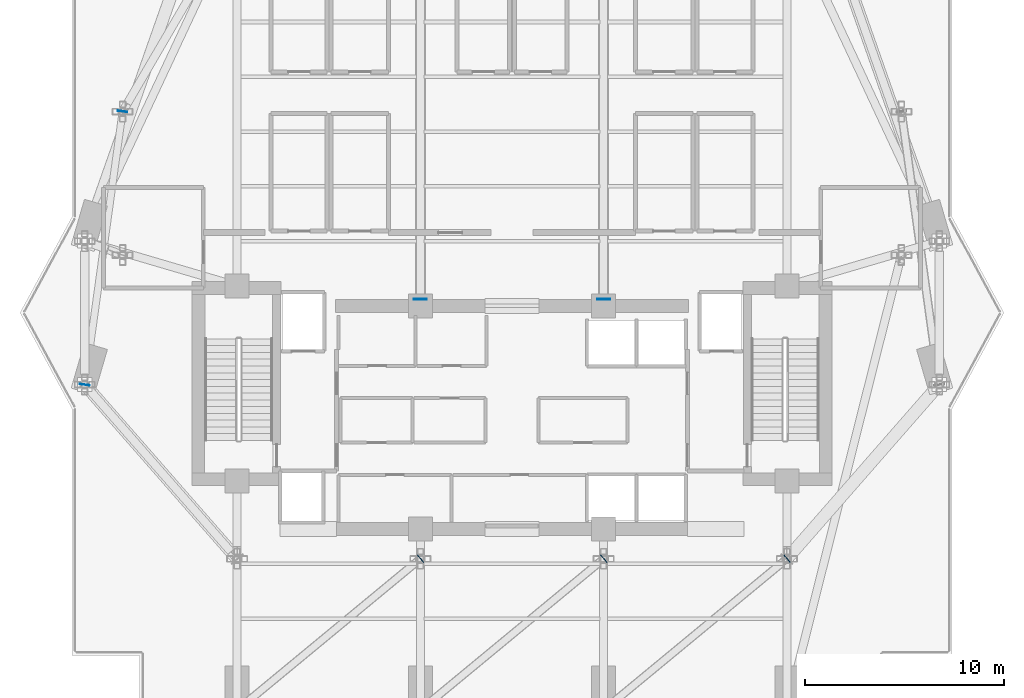
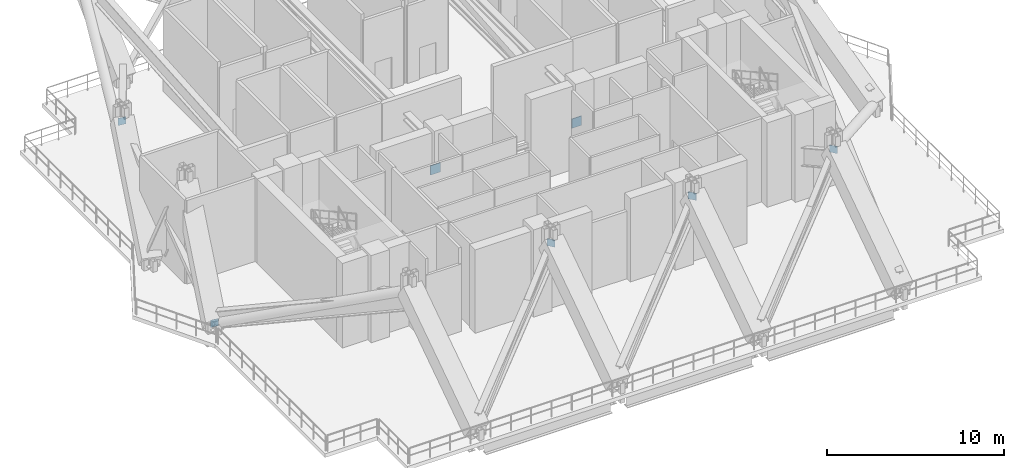
# One storey, part 10 of 18: 7 plates.
"""IFC4 building model written with IfcOpenShell, lengths in metres."""

from ifc_helpers import new_model, si_unit, direction, frame, origin, origin_2d, place, context, subcontext, project, spatial, rectangle, extrude, material, layer, layer_set, type_object, element, save


model = new_model("IFC4")

# Units and contexts
model_context = context("Model", 3, precision=1e-05, world=origin(), true_north=direction((0.0, 1.0)))
body_context = subcontext(model_context, "Body", "Model", "MODEL_VIEW")
ifc_project = project(units=[si_unit("LENGTHUNIT", "METRE"), si_unit("AREAUNIT", "SQUARE_METRE"), si_unit("VOLUMEUNIT", "CUBIC_METRE"), si_unit("PLANEANGLEUNIT", "RADIAN"), si_unit("MASSUNIT", "GRAM", prefix="KILO")], contexts=[model_context])

# Site, building, storey
site_placement = place(None, origin())
site = spatial("IfcSite", under=ifc_project, at=site_placement, CompositionType="ELEMENT")
building_placement = place(site_placement, origin())
building = spatial("IfcBuilding", under=site, at=building_placement, Name="Zuhayl Quay Hotel", CompositionType="ELEMENT")
storey_placement = place(building_placement, frame((0.0, 0.0, 233.64990234375)))
storey = spatial("IfcBuildingStorey", under=building, at=storey_placement, Name="L59", CompositionType="ELEMENT", Elevation=233.64990234375)

# Plates
ifc_material = material(Name="Steel ASTM A572 Grade 50", Category="steel")
ifc_layer_1 = layer(ifc_material, 0.030029296875, Name="Steel ASTM A572 Grade 50", Category="steel")
ifc_layer_set_1 = layer_set([ifc_layer_1], Name="Steel ASTM A572 Grade 50")
plate_type_1 = type_object("IfcPlateType", Name="TP_CAP_PLATE_30", PredefinedType="USERDEFINED", material=ifc_layer_set_1)
for number, where, z_axis, x_axis, name in (
    (1, (-4.59130859375, 0.656982421875, 5.20947265625), (0.0, 0.0, 1.0), (0.770958060864, 0.636885914735, 0.0), "Truss Node Cap Assembly KN2"),
    (2, (4.608642578125, 0.656982421875, 5.20947265625), (0.0, 0.0, 1.0), (0.770958060864, 0.636885914735, 0.0), "Truss Node Cap Assembly KN2"),
    (3, (13.80859375, 0.656982421875, 5.20947265625), (0.0, 0.0, 1.0), (0.770958060864, 0.636885914735, 0.0), "Truss Node Cap Assembly KN2"),
    (4, (-21.45166015625, 9.388916015625, 0.30126953125), (0.0, 0.0, 1.0), (-0.137444546037, -0.990509463238, 0.0), "Truss Node Cap Assembly KN2"),
    (5, (-19.54833984375, 23.111083984375, 5.208984375), (0.0, 0.0, 1.0), (0.137444546037, 0.990509463238, 0.0), "Truss Node Cap Assembly KN2"),
):
    element("IfcPlate", number, at=place(storey_placement, frame(where, z_axis=z_axis, x_axis=x_axis)), inside=storey, type_object=plate_type_1, Name=name, ObjectType="GUSSET PLATE", PredefinedType="USERDEFINED", context=body_context, shape_type="SweptSolid", body=[
        extrude(rectangle(XDim=0.030029296875, YDim=0.489990234375, at=origin_2d()), origin(), (0.0, 0.0, 1.0), 0.489990234375),
    ])
ifc_layer_2 = layer(ifc_material, 0.0400390625, Name="Steel ASTM A572 Grade 50", Category="steel")
ifc_layer_set_2 = layer_set([ifc_layer_2], Name="Steel ASTM A572 Grade 50")
plate_type_2 = type_object("IfcPlateType", Name="TP_CAP_PLATE_40", PredefinedType="USERDEFINED", material=ifc_layer_set_2)
for number, where, z_axis, x_axis, name in (
    (6, (-4.60009765625, 13.68408203125, 2.3291015625), (0.0, 0.0, 1.0), (0.0, -1.0, 0.0), "Truss Node Cap Assembly KN1"),
    (7, (4.60009765625, 13.68408203125, 2.3291015625), (0.0, 0.0, 1.0), (0.0, -1.0, 0.0), "Truss Node Cap Assembly KN1"),
):
    element("IfcPlate", number, at=place(storey_placement, frame(where, z_axis=z_axis, x_axis=x_axis)), inside=storey, type_object=plate_type_2, Name=name, ObjectType="GUSSET PLATE", PredefinedType="USERDEFINED", context=body_context, shape_type="SweptSolid", body=[
        extrude(rectangle(XDim=0.0400390625, YDim=0.639892578125, at=origin_2d()), origin(), (0.0, 0.0, 1.0), 0.639892578125),
    ])

save(model, "model.ifc")
